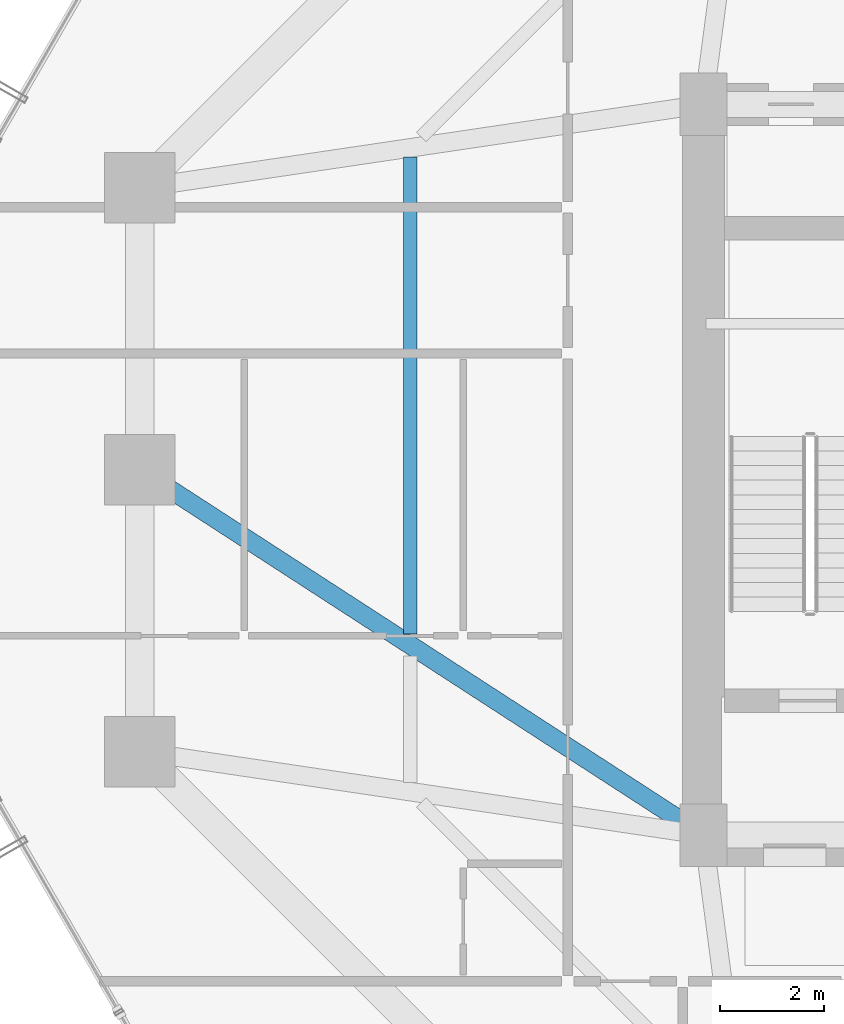
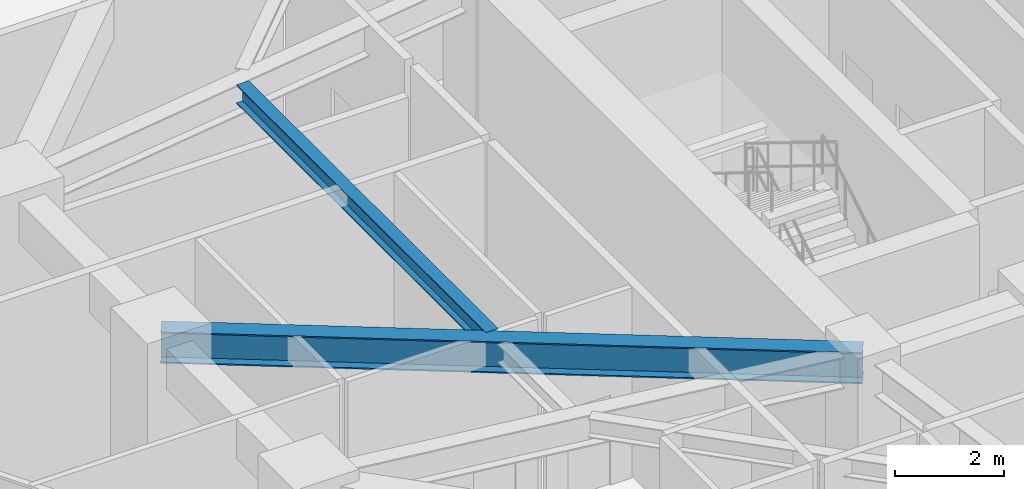
# One storey, part 11 of 39: 2 beams.
"""IFC4 building model written with IfcOpenShell, lengths in metres."""

from ifc_helpers import new_model, si_unit, direction, frame, origin, origin_2d, place, context, subcontext, project, spatial, i_section, extrude, material, material_profile, profile_set, type_object, element, save


model = new_model("IFC4")

# Units and contexts
model_context = context("Model", 3, precision=1e-05, world=origin(), true_north=direction((0.0, 1.0)))
body_context = subcontext(model_context, "Body", "Model", "MODEL_VIEW")
ifc_project = project(units=[si_unit("LENGTHUNIT", "METRE"), si_unit("AREAUNIT", "SQUARE_METRE"), si_unit("VOLUMEUNIT", "CUBIC_METRE"), si_unit("PLANEANGLEUNIT", "RADIAN"), si_unit("MASSUNIT", "GRAM", prefix="KILO")], contexts=[model_context])

# Site, building, storey
site_placement = place(None, origin())
site = spatial("IfcSite", under=ifc_project, at=site_placement, CompositionType="ELEMENT")
building_placement = place(site_placement, origin())
building = spatial("IfcBuilding", under=site, at=building_placement, Name="Veraguas Prism Commons", CompositionType="ELEMENT")
storey_placement = place(building_placement, frame((0.0, 0.0, 22.800048828125)))
storey = spatial("IfcBuildingStorey", under=building, at=storey_placement, Name="L05", CompositionType="ELEMENT", Elevation=22.800048828125)

# Beams
ifc_material = material(Name="Steel ASTM A992 Grade 50", Category="steel")
ifc_material_profile_1 = material_profile(ifc_material, i_section(OverallWidth=0.260986328125, OverallDepth=0.419921875, WebThickness=0.01171875, FlangeThickness=0.019287109375, at=origin_2d()), Name="W410X114")
ifc_profile_set_1 = profile_set([ifc_material_profile_1], Name="Steel ASTM A992 Grade 50")
beam_type_1 = type_object("IfcBeamType", Name="Lower Floor Joist W410x114", PredefinedType="JOIST", material=ifc_profile_set_1)
beam_1_placement = place(storey_placement, frame((11.583984375, 29.989990234375, 4.0400390625), z_axis=(0.0, -1.0, 0.0), x_axis=(1.0, 0.0, 0.0)))
element("IfcBeam", 1, at=beam_1_placement, inside=storey, type_object=beam_type_1, Name="Composite Floor Joist L05-JS07", PredefinedType="JOIST", context=body_context, shape_type="SweptSolid", body=[
    extrude(i_section(OverallWidth=0.260986328125, OverallDepth=0.419921875, WebThickness=0.01171875, FlangeThickness=0.019287109375, at=origin_2d()), origin(), (0.0, 0.0, 1.0), 9.140380859375),
])
ifc_material_profile_2 = material_profile(ifc_material, i_section(OverallWidth=0.35595703125, OverallDepth=0.700927734375, WebThickness=0.016845703125, FlangeThickness=0.02734375, at=origin_2d()), Name="W690X240")
ifc_profile_set_2 = profile_set([ifc_material_profile_2], Name="Steel ASTM A992 Grade 50")
beam_type_2 = type_object("IfcBeamType", Name="Zone 1 Radial Girder W690x240", PredefinedType="BEAM", material=ifc_profile_set_2)
beam_2_placement = place(storey_placement, frame((6.39990234375, 24.0, 3.8994140625), z_axis=(0.839154108875, -0.543893722668, 0.0), x_axis=(0.543893722668, 0.839154108875, 0.0)))
element("IfcBeam", 2, at=beam_2_placement, inside=storey, type_object=beam_type_2, Name="Radial Floor Girder L05-RD08", PredefinedType="BEAM", context=body_context, shape_type="SweptSolid", body=[
    extrude(i_section(OverallWidth=0.35595703125, OverallDepth=0.700927734375, WebThickness=0.016845703125, FlangeThickness=0.02734375, at=origin_2d()), origin(), (0.0, 0.0, 1.0), 12.8701171875),
])

save(model, "model.ifc")
